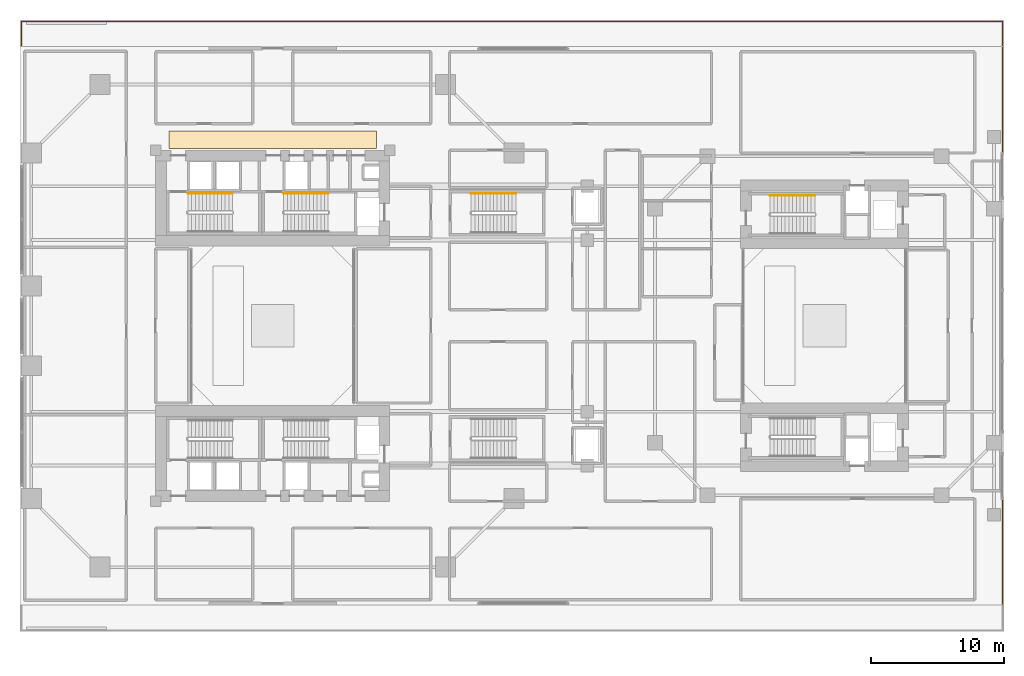
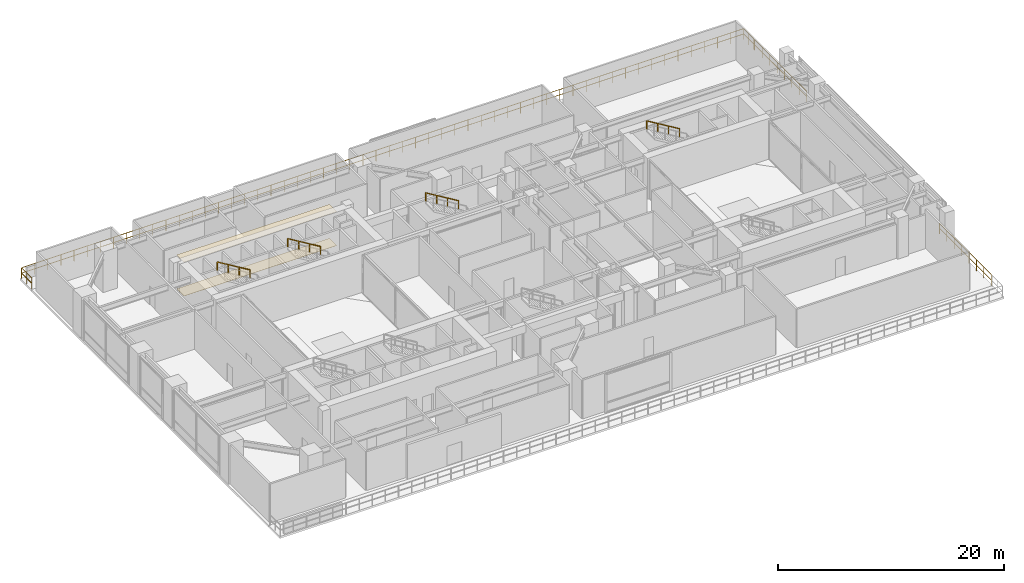
# One storey, part 19 of 19: 7 railings, 2 coverings.
"""IFC4 building model written with IfcOpenShell, lengths in metres."""

from ifc_helpers import new_model, si_unit, direction, frame, origin, origin_2d, place, context, subcontext, project, spatial, polyline, rectangle, outline, extrude, material, layer, layer_set, type_object, element, save


model = new_model("IFC4")

# Units and contexts
model_context = context("Model", 3, precision=1e-05, world=origin(), true_north=direction((0.0, 1.0)))
body_context = subcontext(model_context, "Body", "Model", "MODEL_VIEW")
ifc_project = project(units=[si_unit("LENGTHUNIT", "METRE"), si_unit("AREAUNIT", "SQUARE_METRE"), si_unit("VOLUMEUNIT", "CUBIC_METRE"), si_unit("PLANEANGLEUNIT", "RADIAN"), si_unit("MASSUNIT", "GRAM", prefix="KILO"), si_unit("THERMODYNAMICTEMPERATUREUNIT", "KELVIN"), si_unit("POWERUNIT", "WATT")], contexts=[model_context])

# Site, building, storey
site_placement = place(None, origin())
site = spatial("IfcSite", under=ifc_project, at=site_placement, CompositionType="ELEMENT")
building_placement = place(site_placement, origin())
building = spatial("IfcBuilding", under=site, at=building_placement, Name="Qiaomeng Ring Towers", CompositionType="ELEMENT")
storey_placement = place(building_placement, frame((0.0, 0.0, 5.0)))
storey = spatial("IfcBuildingStorey", under=building, at=storey_placement, Name="L01", CompositionType="ELEMENT", Elevation=5.0)

# Coverings
ifc_material_1 = material(Name="Moisture-resistant gypsum ceiling board", Category="gypsum")
ifc_layer_1 = layer(ifc_material_1, 0.030029296875, Name="Moisture-resistant gypsum ceiling board")
ifc_layer_set_1 = layer_set([ifc_layer_1], Name="Moisture-resistant gypsum ceiling board")
covering_type_1 = type_object("IfcCoveringType", Name="ARC-COV-CEIL2", PredefinedType="CEILING", material=ifc_layer_set_1)
covering_1_placement = place(storey_placement, frame((0.0, 0.0, 3.659912109375)))
element("IfcCovering", 1, at=covering_1_placement, inside=storey, type_object=covering_type_1, Name="L01 Corridor Acoustic Ceiling", PredefinedType="CEILING", context=body_context, shape_type="SweptSolid", body=[
    extrude(outline(polyline([(11.199951171875, 36.35009765625), (11.199951171875, 37.64990234375), (26.800048828125, 37.64990234375), (26.800048828125, 36.35009765625), (11.199951171875, 36.35009765625)])), origin(), (0.0, 0.0, 1.0), 0.025146484375),
])
ifc_material_2 = material(Name="Honed granite stone flooring", Category="masonry")
ifc_layer_2 = layer(ifc_material_2, 0.02392578125, Name="Honed granite stone flooring")
ifc_layer_set_2 = layer_set([ifc_layer_2], Name="Honed granite stone flooring")
covering_type_2 = type_object("IfcCoveringType", Name="ARC-COV-FLR2", PredefinedType="FLOORING", material=ifc_layer_set_2)
covering_2_placement = place(storey_placement, origin())
element("IfcCovering", 2, at=covering_2_placement, inside=storey, type_object=covering_type_2, Name="L01 Corridor Stone Flooring", PredefinedType="FLOORING", context=body_context, shape_type="SweptSolid", body=[
    extrude(outline(polyline([(11.199951171875, 36.35009765625), (11.199951171875, 37.64990234375), (26.800048828125, 37.64990234375), (26.800048828125, 36.35009765625), (11.199951171875, 36.35009765625)])), origin(), (0.0, 0.0, 1.0), 0.02001953125),
])

# Railings
ifc_material_3 = material(Name="Low-E pale-green laminated safety glass", Category="glass")
railing_type_1 = type_object("IfcRailingType", Name="ARC-RL-BAL1", PredefinedType="BALUSTRADE", material=ifc_material_3)
railing_placement = place(storey_placement, frame((0.10009765625, 44.080078125, 0.0)))
element("IfcRailing", 3, at=railing_placement, inside=storey, type_object=railing_type_1, Name="L01 Balustrade ARC-BAL-L01-POD-N", PredefinedType="BALUSTRADE", context=body_context, shape_type="SweptSolid", body=[
    extrude(rectangle(XDim=0.048095703125, YDim=0.048095703125, at=origin_2d()), frame((0.0, 0.0, 1.17578125), z_axis=(0.0, 1.0, 0.0), x_axis=(-1.0, 0.0, 0.0)), (0.0, 0.0, 1.0), 1.81982421875),
    extrude(rectangle(XDim=0.048095703125, YDim=0.048095703125, at=origin_2d()), frame((0.0, 0.0, 0.60009765625), z_axis=(0.0, 1.0, 0.0), x_axis=(-1.0, 0.0, 0.0)), (0.0, 0.0, 1.0), 1.81982421875),
    extrude(rectangle(XDim=0.048095703125, YDim=0.048095703125, at=origin_2d()), frame((0.0, 1.81982421875, 1.17578125), z_axis=(1.0, 0.0, 0.0), x_axis=(0.0, 1.0, 0.0)), (0.0, 0.0, 1.0), 73.7998046875),
    extrude(rectangle(XDim=0.048095703125, YDim=0.048095703125, at=origin_2d()), frame((0.0, 1.81982421875, 0.60009765625), z_axis=(1.0, 0.0, 0.0), x_axis=(0.0, 1.0, 0.0)), (0.0, 0.0, 1.0), 73.7998046875),
    extrude(rectangle(XDim=0.048095703125, YDim=0.048095703125, at=origin_2d()), frame((73.7998046875, 1.81982421875, 1.17578125), z_axis=(0.0, -1.0, 0.0), x_axis=(1.0, 0.0, 0.0)), (0.0, 0.0, 1.0), 1.81982421875),
    extrude(rectangle(XDim=0.048095703125, YDim=0.048095703125, at=origin_2d()), frame((73.7998046875, 1.81982421875, 0.60009765625), z_axis=(0.0, -1.0, 0.0), x_axis=(1.0, 0.0, 0.0)), (0.0, 0.0, 1.0), 1.81982421875),
    extrude(rectangle(XDim=0.0419921875, YDim=0.0419921875, at=origin_2d()), origin(), (0.0, 0.0, 1.0), 1.15185546875),
    extrude(rectangle(XDim=0.0419921875, YDim=0.0419921875, at=origin_2d()), frame((0.0, 0.909912109375, 0.0)), (0.0, 0.0, 1.0), 1.15185546875),
    extrude(rectangle(XDim=0.0419921875, YDim=0.0419921875, at=origin_2d()), frame((0.0, 1.81982421875, 0.0)), (0.0, 0.0, 1.0), 1.15185546875),
    extrude(rectangle(XDim=0.0419921875, YDim=0.0419921875, at=origin_2d()), frame((1.341796875, 1.81982421875, 0.0)), (0.0, 0.0, 1.0), 1.15185546875),
    extrude(rectangle(XDim=0.0419921875, YDim=0.0419921875, at=origin_2d()), frame((2.68359375, 1.81982421875, 0.0)), (0.0, 0.0, 1.0), 1.15185546875),
    extrude(rectangle(XDim=0.0419921875, YDim=0.0419921875, at=origin_2d()), frame((4.025390625, 1.81982421875, 0.0)), (0.0, 0.0, 1.0), 1.15185546875),
    extrude(rectangle(XDim=0.0419921875, YDim=0.0419921875, at=origin_2d()), frame((5.3671875, 1.81982421875, 0.0)), (0.0, 0.0, 1.0), 1.15185546875),
    extrude(rectangle(XDim=0.0419921875, YDim=0.0419921875, at=origin_2d()), frame((6.708984375, 1.81982421875, 0.0)), (0.0, 0.0, 1.0), 1.15185546875),
    extrude(rectangle(XDim=0.0419921875, YDim=0.0419921875, at=origin_2d()), frame((8.05078125, 1.81982421875, 0.0)), (0.0, 0.0, 1.0), 1.15185546875),
    extrude(rectangle(XDim=0.0419921875, YDim=0.0419921875, at=origin_2d()), frame((9.392822265625, 1.81982421875, 0.0)), (0.0, 0.0, 1.0), 1.15185546875),
    extrude(rectangle(XDim=0.0419921875, YDim=0.0419921875, at=origin_2d()), frame((10.734619140625, 1.81982421875, 0.0)), (0.0, 0.0, 1.0), 1.15185546875),
    extrude(rectangle(XDim=0.0419921875, YDim=0.0419921875, at=origin_2d()), frame((12.076416015625, 1.81982421875, 0.0)), (0.0, 0.0, 1.0), 1.15185546875),
    extrude(rectangle(XDim=0.0419921875, YDim=0.0419921875, at=origin_2d()), frame((13.418212890625, 1.81982421875, 0.0)), (0.0, 0.0, 1.0), 1.15185546875),
    extrude(rectangle(XDim=0.0419921875, YDim=0.0419921875, at=origin_2d()), frame((14.760009765625, 1.81982421875, 0.0)), (0.0, 0.0, 1.0), 1.15185546875),
    extrude(rectangle(XDim=0.0419921875, YDim=0.0419921875, at=origin_2d()), frame((16.101806640625, 1.81982421875, 0.0)), (0.0, 0.0, 1.0), 1.15185546875),
    extrude(rectangle(XDim=0.0419921875, YDim=0.0419921875, at=origin_2d()), frame((17.443603515625, 1.81982421875, 0.0)), (0.0, 0.0, 1.0), 1.15185546875),
    extrude(rectangle(XDim=0.0419921875, YDim=0.0419921875, at=origin_2d()), frame((18.785400390625, 1.81982421875, 0.0)), (0.0, 0.0, 1.0), 1.15185546875),
    extrude(rectangle(XDim=0.0419921875, YDim=0.0419921875, at=origin_2d()), frame((20.127197265625, 1.81982421875, 0.0)), (0.0, 0.0, 1.0), 1.15185546875),
    extrude(rectangle(XDim=0.0419921875, YDim=0.0419921875, at=origin_2d()), frame((21.468994140625, 1.81982421875, 0.0)), (0.0, 0.0, 1.0), 1.15185546875),
    extrude(rectangle(XDim=0.0419921875, YDim=0.0419921875, at=origin_2d()), frame((22.810791015625, 1.81982421875, 0.0)), (0.0, 0.0, 1.0), 1.15185546875),
    extrude(rectangle(XDim=0.0419921875, YDim=0.0419921875, at=origin_2d()), frame((24.152587890625, 1.81982421875, 0.0)), (0.0, 0.0, 1.0), 1.15185546875),
    extrude(rectangle(XDim=0.0419921875, YDim=0.0419921875, at=origin_2d()), frame((25.494384765625, 1.81982421875, 0.0)), (0.0, 0.0, 1.0), 1.15185546875),
    extrude(rectangle(XDim=0.0419921875, YDim=0.0419921875, at=origin_2d()), frame((26.836181640625, 1.81982421875, 0.0)), (0.0, 0.0, 1.0), 1.15185546875),
    extrude(rectangle(XDim=0.0419921875, YDim=0.0419921875, at=origin_2d()), frame((28.17822265625, 1.81982421875, 0.0)), (0.0, 0.0, 1.0), 1.15185546875),
    extrude(rectangle(XDim=0.0419921875, YDim=0.0419921875, at=origin_2d()), frame((29.52001953125, 1.81982421875, 0.0)), (0.0, 0.0, 1.0), 1.15185546875),
    extrude(rectangle(XDim=0.0419921875, YDim=0.0419921875, at=origin_2d()), frame((30.86181640625, 1.81982421875, 0.0)), (0.0, 0.0, 1.0), 1.15185546875),
    extrude(rectangle(XDim=0.0419921875, YDim=0.0419921875, at=origin_2d()), frame((32.20361328125, 1.81982421875, 0.0)), (0.0, 0.0, 1.0), 1.15185546875),
    extrude(rectangle(XDim=0.0419921875, YDim=0.0419921875, at=origin_2d()), frame((33.54541015625, 1.81982421875, 0.0)), (0.0, 0.0, 1.0), 1.15185546875),
    extrude(rectangle(XDim=0.0419921875, YDim=0.0419921875, at=origin_2d()), frame((34.88720703125, 1.81982421875, 0.0)), (0.0, 0.0, 1.0), 1.15185546875),
    extrude(rectangle(XDim=0.0419921875, YDim=0.0419921875, at=origin_2d()), frame((36.22900390625, 1.81982421875, 0.0)), (0.0, 0.0, 1.0), 1.15185546875),
    extrude(rectangle(XDim=0.0419921875, YDim=0.0419921875, at=origin_2d()), frame((37.57080078125, 1.81982421875, 0.0)), (0.0, 0.0, 1.0), 1.15185546875),
    extrude(rectangle(XDim=0.0419921875, YDim=0.0419921875, at=origin_2d()), frame((38.91259765625, 1.81982421875, 0.0)), (0.0, 0.0, 1.0), 1.15185546875),
    extrude(rectangle(XDim=0.0419921875, YDim=0.0419921875, at=origin_2d()), frame((40.25439453125, 1.81982421875, 0.0)), (0.0, 0.0, 1.0), 1.15185546875),
    extrude(rectangle(XDim=0.0419921875, YDim=0.0419921875, at=origin_2d()), frame((41.59619140625, 1.81982421875, 0.0)), (0.0, 0.0, 1.0), 1.15185546875),
    extrude(rectangle(XDim=0.0419921875, YDim=0.0419921875, at=origin_2d()), frame((42.93798828125, 1.81982421875, 0.0)), (0.0, 0.0, 1.0), 1.15185546875),
    extrude(rectangle(XDim=0.0419921875, YDim=0.0419921875, at=origin_2d()), frame((44.27978515625, 1.81982421875, 0.0)), (0.0, 0.0, 1.0), 1.15185546875),
    extrude(rectangle(XDim=0.0419921875, YDim=0.0419921875, at=origin_2d()), frame((45.62158203125, 1.81982421875, 0.0)), (0.0, 0.0, 1.0), 1.15185546875),
    extrude(rectangle(XDim=0.0419921875, YDim=0.0419921875, at=origin_2d()), frame((46.963623046875, 1.81982421875, 0.0)), (0.0, 0.0, 1.0), 1.15185546875),
    extrude(rectangle(XDim=0.0419921875, YDim=0.0419921875, at=origin_2d()), frame((48.305419921875, 1.81982421875, 0.0)), (0.0, 0.0, 1.0), 1.15185546875),
    extrude(rectangle(XDim=0.0419921875, YDim=0.0419921875, at=origin_2d()), frame((49.647216796875, 1.81982421875, 0.0)), (0.0, 0.0, 1.0), 1.15185546875),
    extrude(rectangle(XDim=0.0419921875, YDim=0.0419921875, at=origin_2d()), frame((50.989013671875, 1.81982421875, 0.0)), (0.0, 0.0, 1.0), 1.15185546875),
    extrude(rectangle(XDim=0.0419921875, YDim=0.0419921875, at=origin_2d()), frame((52.330810546875, 1.81982421875, 0.0)), (0.0, 0.0, 1.0), 1.15185546875),
    extrude(rectangle(XDim=0.0419921875, YDim=0.0419921875, at=origin_2d()), frame((53.672607421875, 1.81982421875, 0.0)), (0.0, 0.0, 1.0), 1.15185546875),
    extrude(rectangle(XDim=0.0419921875, YDim=0.0419921875, at=origin_2d()), frame((55.014404296875, 1.81982421875, 0.0)), (0.0, 0.0, 1.0), 1.15185546875),
    extrude(rectangle(XDim=0.0419921875, YDim=0.0419921875, at=origin_2d()), frame((56.356201171875, 1.81982421875, 0.0)), (0.0, 0.0, 1.0), 1.15185546875),
    extrude(rectangle(XDim=0.0419921875, YDim=0.0419921875, at=origin_2d()), frame((57.697998046875, 1.81982421875, 0.0)), (0.0, 0.0, 1.0), 1.15185546875),
    extrude(rectangle(XDim=0.0419921875, YDim=0.0419921875, at=origin_2d()), frame((59.039794921875, 1.81982421875, 0.0)), (0.0, 0.0, 1.0), 1.15185546875),
    extrude(rectangle(XDim=0.0419921875, YDim=0.0419921875, at=origin_2d()), frame((60.381591796875, 1.81982421875, 0.0)), (0.0, 0.0, 1.0), 1.15185546875),
    extrude(rectangle(XDim=0.0419921875, YDim=0.0419921875, at=origin_2d()), frame((61.723388671875, 1.81982421875, 0.0)), (0.0, 0.0, 1.0), 1.15185546875),
    extrude(rectangle(XDim=0.0419921875, YDim=0.0419921875, at=origin_2d()), frame((63.065185546875, 1.81982421875, 0.0)), (0.0, 0.0, 1.0), 1.15185546875),
    extrude(rectangle(XDim=0.0419921875, YDim=0.0419921875, at=origin_2d()), frame((64.406982421875, 1.81982421875, 0.0)), (0.0, 0.0, 1.0), 1.15185546875),
    extrude(rectangle(XDim=0.0419921875, YDim=0.0419921875, at=origin_2d()), frame((65.7490234375, 1.81982421875, 0.0)), (0.0, 0.0, 1.0), 1.15185546875),
    extrude(rectangle(XDim=0.0419921875, YDim=0.0419921875, at=origin_2d()), frame((67.0908203125, 1.81982421875, 0.0)), (0.0, 0.0, 1.0), 1.15185546875),
    extrude(rectangle(XDim=0.0419921875, YDim=0.0419921875, at=origin_2d()), frame((68.4326171875, 1.81982421875, 0.0)), (0.0, 0.0, 1.0), 1.15185546875),
    extrude(rectangle(XDim=0.0419921875, YDim=0.0419921875, at=origin_2d()), frame((69.7744140625, 1.81982421875, 0.0)), (0.0, 0.0, 1.0), 1.15185546875),
    extrude(rectangle(XDim=0.0419921875, YDim=0.0419921875, at=origin_2d()), frame((71.1162109375, 1.81982421875, 0.0)), (0.0, 0.0, 1.0), 1.15185546875),
    extrude(rectangle(XDim=0.0419921875, YDim=0.0419921875, at=origin_2d()), frame((72.4580078125, 1.81982421875, 0.0)), (0.0, 0.0, 1.0), 1.15185546875),
    extrude(rectangle(XDim=0.0419921875, YDim=0.0419921875, at=origin_2d()), frame((73.7998046875, 1.81982421875, 0.0)), (0.0, 0.0, 1.0), 1.15185546875),
    extrude(rectangle(XDim=0.0419921875, YDim=0.0419921875, at=origin_2d()), frame((73.7998046875, 0.909912109375, 0.0)), (0.0, 0.0, 1.0), 1.15185546875),
    extrude(rectangle(XDim=0.0419921875, YDim=0.0419921875, at=origin_2d()), frame((73.7998046875, 0.0, 0.0)), (0.0, 0.0, 1.0), 1.15185546875),
])
for number, where, name in (
    (4, (73.89990234375, 2.080078125, 0.0), "L01 Balustrade ARC-BAL-L01-POD-ES"),
    (5, (73.89990234375, 34.75, 0.0), "L01 Balustrade ARC-BAL-L01-POD-EN"),
):
    element("IfcRailing", number, at=place(storey_placement, frame(where)), inside=storey, type_object=railing_type_1, Name=name, PredefinedType="BALUSTRADE", context=body_context, shape_type="SweptSolid", body=[
        extrude(rectangle(XDim=0.048095703125, YDim=0.048095703125, at=origin_2d()), frame((0.0, 0.0, 1.17578125), z_axis=(0.0, 1.0, 0.0), x_axis=(-1.0, 0.0, 0.0)), (0.0, 0.0, 1.0), 9.169921875),
        extrude(rectangle(XDim=0.048095703125, YDim=0.048095703125, at=origin_2d()), frame((0.0, 0.0, 0.60009765625), z_axis=(0.0, 1.0, 0.0), x_axis=(-1.0, 0.0, 0.0)), (0.0, 0.0, 1.0), 9.169921875),
        extrude(rectangle(XDim=0.0419921875, YDim=0.0419921875, at=origin_2d()), origin(), (0.0, 0.0, 1.0), 1.15185546875),
        extrude(rectangle(XDim=0.0419921875, YDim=0.0419921875, at=origin_2d()), frame((0.0, 1.31005859375, 0.0)), (0.0, 0.0, 1.0), 1.15185546875),
        extrude(rectangle(XDim=0.0419921875, YDim=0.0419921875, at=origin_2d()), frame((0.0, 2.619873046875, 0.0)), (0.0, 0.0, 1.0), 1.15185546875),
        extrude(rectangle(XDim=0.0419921875, YDim=0.0419921875, at=origin_2d()), frame((0.0, 3.929931640625, 0.0)), (0.0, 0.0, 1.0), 1.15185546875),
        extrude(rectangle(XDim=0.0419921875, YDim=0.0419921875, at=origin_2d()), frame((0.0, 5.239990234375, 0.0)), (0.0, 0.0, 1.0), 1.15185546875),
        extrude(rectangle(XDim=0.0419921875, YDim=0.0419921875, at=origin_2d()), frame((0.0, 6.550048828125, 0.0)), (0.0, 0.0, 1.0), 1.15185546875),
        extrude(rectangle(XDim=0.0419921875, YDim=0.0419921875, at=origin_2d()), frame((0.0, 7.85986328125, 0.0)), (0.0, 0.0, 1.0), 1.15185546875),
        extrude(rectangle(XDim=0.0419921875, YDim=0.0419921875, at=origin_2d()), frame((0.0, 9.169921875, 0.0)), (0.0, 0.0, 1.0), 1.15185546875),
    ])
ifc_material_4 = material(Name="Stainless steel 316", Category="steel")
railing_type_2 = type_object("IfcRailingType", Name="ARC-RL-HAND", PredefinedType="HANDRAIL", material=ifc_material_4)
for number, where, name in (
    (6, (15.97998046875, 32.93994140625, 2.369140625), "L01 ST1 stair handrail 2"),
    (7, (23.179931640625, 32.93994140625, 2.369140625), "L01 ST2 stair handrail 2"),
):
    element("IfcRailing", number, at=place(storey_placement, frame(where)), inside=storey, type_object=railing_type_2, Name=name, PredefinedType="HANDRAIL", context=body_context, shape_type="SweptSolid", body=[
        extrude(rectangle(XDim=0.048095703125, YDim=0.048095703125, at=origin_2d()), frame((0.0, 0.0, 0.8759765625), z_axis=(-0.855820338506, 0.0, 0.51727318527), x_axis=(0.0, -1.0, 0.0)), (0.0, 0.0, 1.0), 3.92578125),
        extrude(rectangle(XDim=0.0419921875, YDim=0.0419921875, at=origin_2d()), origin(), (0.0, 0.0, 1.0), 0.851806640625),
        extrude(rectangle(XDim=0.0419921875, YDim=0.0419921875, at=origin_2d()), frame((-1.119873046875, 0.0, 0.677001953125)), (0.0, 0.0, 1.0), 0.851806640625),
        extrude(rectangle(XDim=0.0419921875, YDim=0.0419921875, at=origin_2d()), frame((-2.239990234375, 0.0, 1.353759765625)), (0.0, 0.0, 1.0), 0.851806640625),
        extrude(rectangle(XDim=0.0419921875, YDim=0.0419921875, at=origin_2d()), frame((-3.35986328125, 0.0, 2.03076171875)), (0.0, 0.0, 1.0), 0.851806640625),
    ])
for number, where, name in (
    (8, (59.780029296875, 32.7900390625, 2.369140625), "L01 ST5 stair handrail 2"),
    (9, (37.2900390625, 32.949951171875, 2.369140625), "L01 ST7 stair handrail 2"),
):
    element("IfcRailing", number, at=place(storey_placement, frame(where)), inside=storey, type_object=railing_type_2, Name=name, PredefinedType="HANDRAIL", context=body_context, shape_type="SweptSolid", body=[
        extrude(rectangle(XDim=0.048095703125, YDim=0.048095703125, at=origin_2d()), frame((0.0, 0.0, 0.8759765625), z_axis=(-0.855836976705, 0.0, 0.517245656632), x_axis=(0.0, -1.0, 0.0)), (0.0, 0.0, 1.0), 3.926025390625),
        extrude(rectangle(XDim=0.0419921875, YDim=0.0419921875, at=origin_2d()), origin(), (0.0, 0.0, 1.0), 0.851806640625),
        extrude(rectangle(XDim=0.0419921875, YDim=0.0419921875, at=origin_2d()), frame((-1.1201171875, 0.0, 0.677001953125)), (0.0, 0.0, 1.0), 0.851806640625),
        extrude(rectangle(XDim=0.0419921875, YDim=0.0419921875, at=origin_2d()), frame((-2.239990234375, 0.0, 1.353759765625)), (0.0, 0.0, 1.0), 0.851806640625),
        extrude(rectangle(XDim=0.0419921875, YDim=0.0419921875, at=origin_2d()), frame((-3.360107421875, 0.0, 2.03076171875)), (0.0, 0.0, 1.0), 0.851806640625),
    ])

save(model, "model.ifc")
